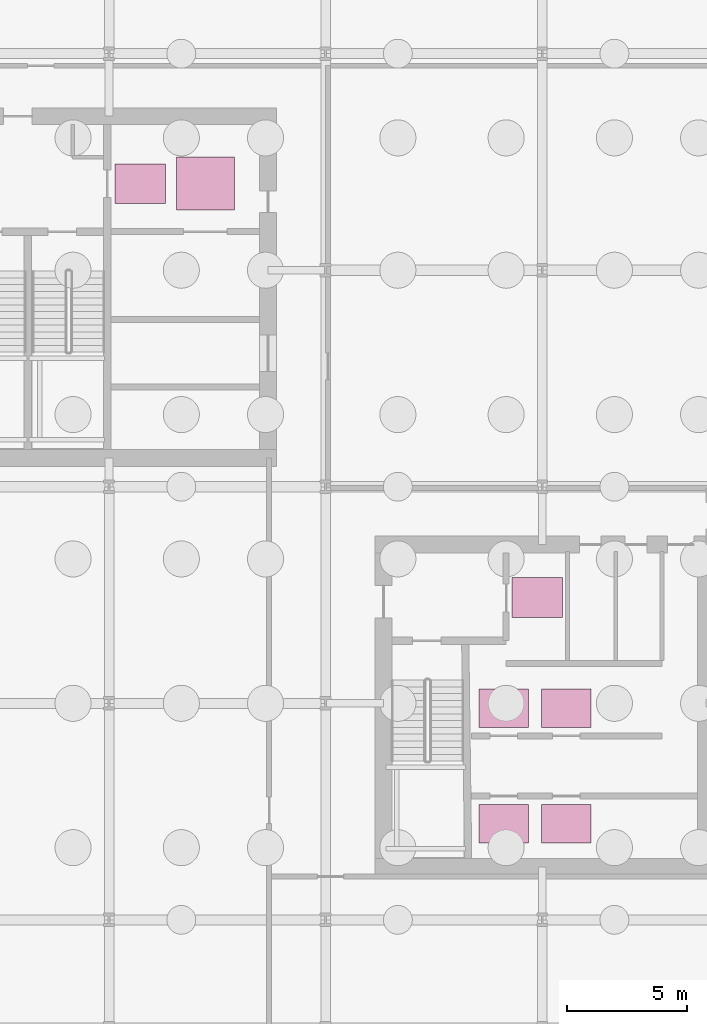
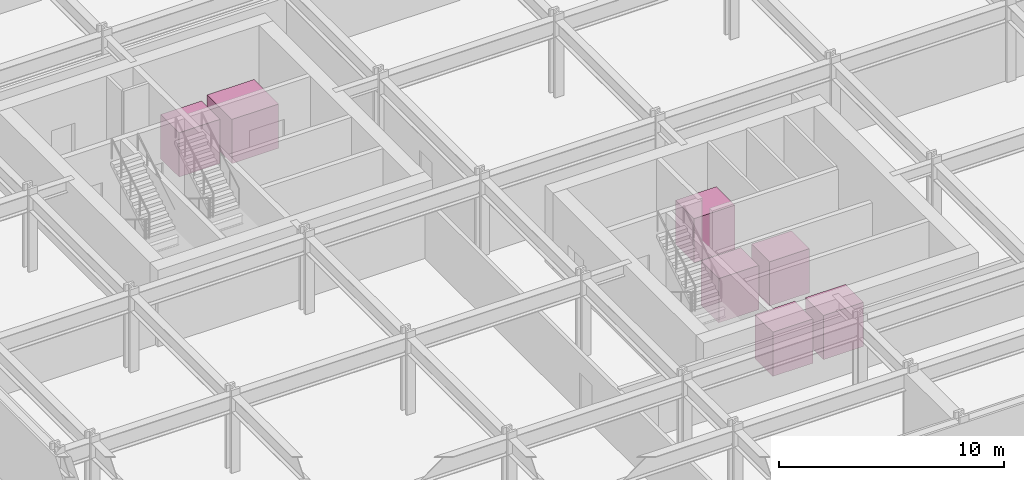
# One storey, part 7 of 7: 7 transport elements.
"""IFC4 building model written with IfcOpenShell, lengths in metres."""

from ifc_helpers import new_model, si_unit, direction, frame, origin, origin_2d, place, context, subcontext, project, spatial, rectangle, extrude, material, type_object, element, save


model = new_model("IFC4")

# Units and contexts
model_context = context("Model", 3, precision=1e-05, world=origin(), true_north=direction((0.0, 1.0)))
body_context = subcontext(model_context, "Body", "Model", "MODEL_VIEW")
ifc_project = project(units=[si_unit("LENGTHUNIT", "METRE"), si_unit("AREAUNIT", "SQUARE_METRE"), si_unit("VOLUMEUNIT", "CUBIC_METRE"), si_unit("PLANEANGLEUNIT", "RADIAN"), si_unit("MASSUNIT", "GRAM", prefix="KILO")], contexts=[model_context])

# Site, building, storey
site_placement = place(None, origin())
site = spatial("IfcSite", under=ifc_project, at=site_placement, CompositionType="ELEMENT")
building_placement = place(site_placement, origin())
building = spatial("IfcBuilding", under=site, at=building_placement, Name="Solvaryn Broadcast Tower", CompositionType="ELEMENT")
storey_placement = place(building_placement, frame((0.0, 0.0, -9.0)))
storey = spatial("IfcBuildingStorey", under=building, at=storey_placement, Name="B02", CompositionType="ELEMENT", Elevation=-9.0)

# Transport elements
ifc_material_1 = material(Name="Heavy-Duty Broadcast Studio Freight Elevator Car", Category="steel")
transport_element_type_1 = type_object("IfcTransportElementType", Name="LF-FRGT-2400X2200", PredefinedType="ELEVATOR", material=ifc_material_1)
transport_element_placement = place(storey_placement, frame((22.0, 39.60009765625, 0.0), z_axis=(0.0, 0.0, 1.0), x_axis=(1.0, 0.0, 0.0)))
element("IfcTransportElement", 1, at=transport_element_placement, inside=storey, type_object=transport_element_type_1, Name="Elevator SV1", PredefinedType="ELEVATOR", context=body_context, shape_type="SweptSolid", body=[
    extrude(rectangle(XDim=2.39990234375, YDim=2.199951171875, at=origin_2d()), origin(), (0.0, 0.0, 1.0), 2.39990234375),
])
ifc_material_2 = material(Name="Stainless Steel Fire Service Elevator Car", Category="steel")
transport_element_type_2 = type_object("IfcTransportElementType", Name="LF-FSAE-2100X1650", PredefinedType="ELEVATOR", material=ifc_material_2)
for number, where, z_axis, x_axis, name in (
    (2, (19.300048828125, 39.60009765625, 0.0), (0.0, 0.0, 1.0), (1.0, 0.0, 0.0), "Elevator FL1"),
    (3, (35.800048828125, 22.39990234375, 0.0), (0.0, 0.0, 1.0), (1.0, 0.0, 0.0), "Elevator FL2"),
):
    element("IfcTransportElement", number, at=place(storey_placement, frame(where, z_axis=z_axis, x_axis=x_axis)), inside=storey, type_object=transport_element_type_2, Name=name, PredefinedType="ELEVATOR", context=body_context, shape_type="SweptSolid", body=[
        extrude(rectangle(XDim=2.10009765625, YDim=1.64990234375, at=origin_2d()), origin(), (0.0, 0.0, 1.0), 2.39990234375),
    ])
ifc_material_3 = material(Name="Stainless Steel High-Speed Passenger Elevator Car", Category="steel")
transport_element_type_3 = type_object("IfcTransportElementType", Name="LF-PASS-2050X1600", PredefinedType="ELEVATOR", material=ifc_material_3)
for number, where, z_axis, x_axis, name in (
    (4, (34.39990234375, 13.0, 0.0), (0.0, 0.0, 1.0), (1.0, 0.0, 0.0), "Elevator PL1"),
    (5, (37.0, 13.0, 0.0), (0.0, 0.0, 1.0), (1.0, 0.0, 0.0), "Elevator PL2"),
    (6, (34.39990234375, 17.800048828125, 0.0), (0.0, 0.0, 1.0), (1.0, 0.0, 0.0), "Elevator PL3"),
    (7, (37.0, 17.800048828125, 0.0), (0.0, 0.0, 1.0), (1.0, 0.0, 0.0), "Elevator PL4"),
):
    element("IfcTransportElement", number, at=place(storey_placement, frame(where, z_axis=z_axis, x_axis=x_axis)), inside=storey, type_object=transport_element_type_3, Name=name, PredefinedType="ELEVATOR", context=body_context, shape_type="SweptSolid", body=[
        extrude(rectangle(XDim=2.050048828125, YDim=1.60009765625, at=origin_2d()), origin(), (0.0, 0.0, 1.0), 2.39990234375),
    ])

save(model, "model.ifc")
